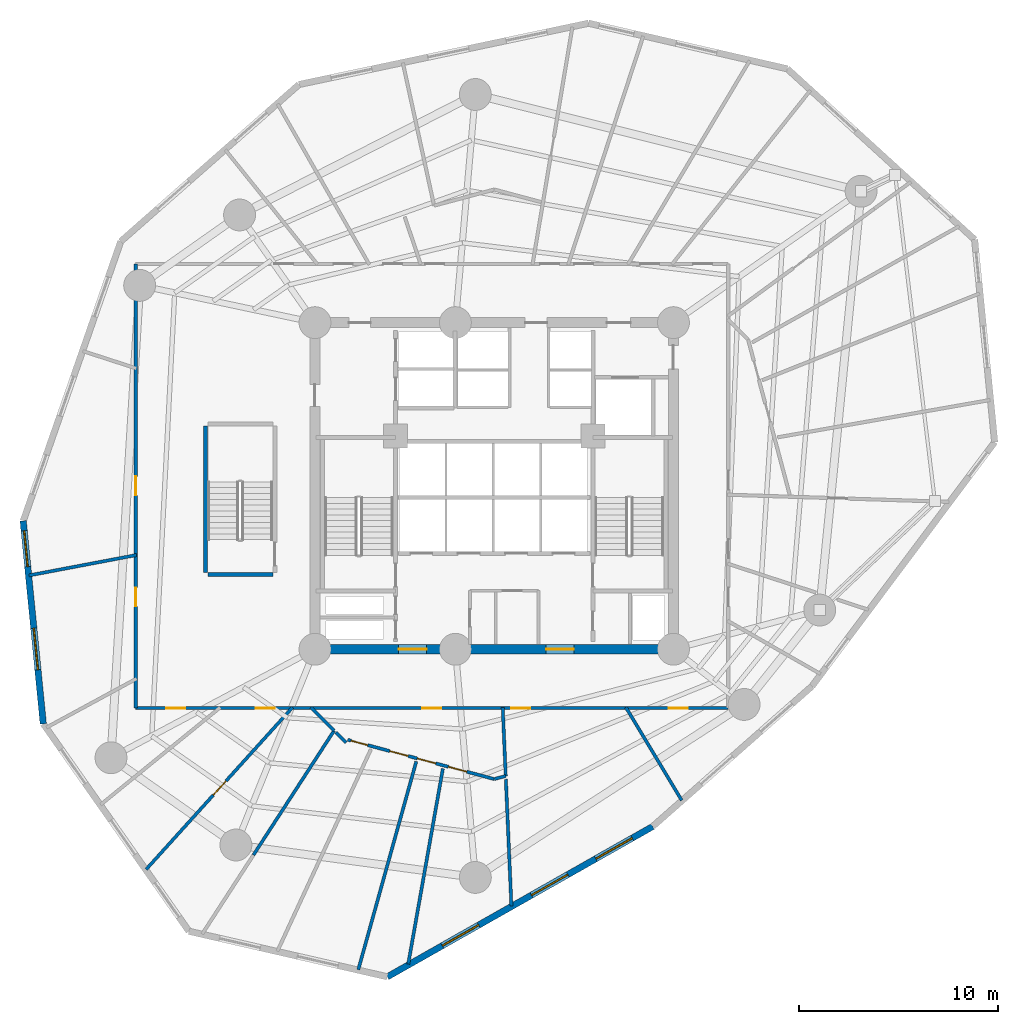
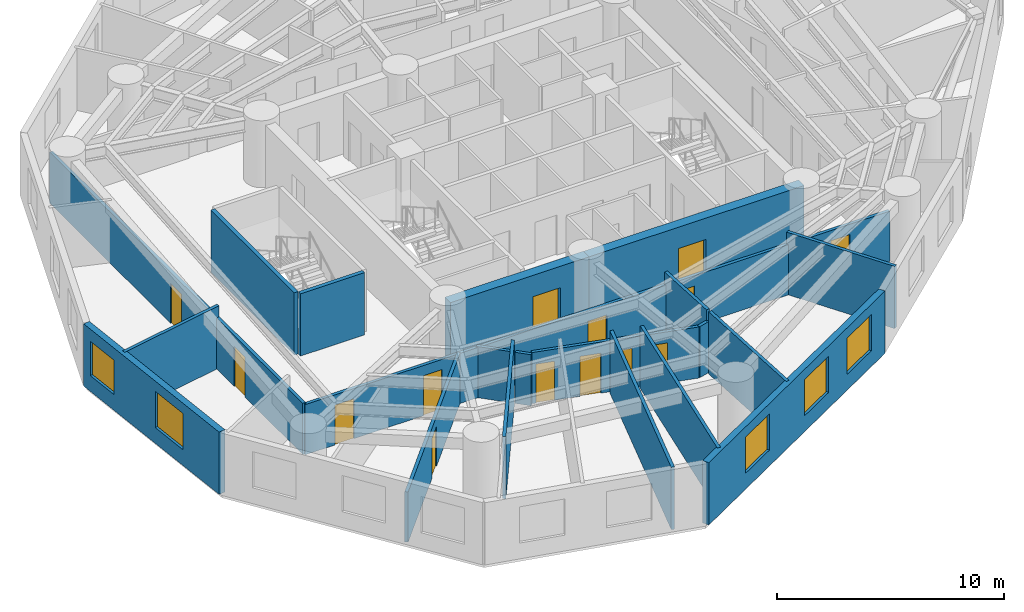
# One storey, part 3 of 8: 20 walls, 14 doors, 5 windows, 19 openings.
"""IFC4 building model written with IfcOpenShell, lengths in metres."""

from ifc_helpers import new_model, si_unit, direction, frame, frame_2d, origin, origin_with_axes, place, context, subcontext, project, spatial, rectangle, extrude, source, transform, mapped, material, layer, layer_set, type_object, element, fill, save


model = new_model("IFC4")

# Units and contexts
model_context = context("Model", 3, precision=1e-05, world=origin(), true_north=direction((0.0, 1.0)))
body_context = subcontext(model_context, "Body", "Model", "MODEL_VIEW")
ifc_project = project(units=[si_unit("LENGTHUNIT", "METRE"), si_unit("AREAUNIT", "SQUARE_METRE"), si_unit("VOLUMEUNIT", "CUBIC_METRE"), si_unit("PLANEANGLEUNIT", "RADIAN"), si_unit("MASSUNIT", "GRAM", prefix="KILO")], contexts=[model_context])

# Site, building, storey
site_placement = place(None, origin())
site = spatial("IfcSite", under=ifc_project, at=site_placement, CompositionType="ELEMENT")
building_placement = place(site_placement, origin())
building = spatial("IfcBuilding", under=site, at=building_placement, Name="Karkom Vertical University and Central Library", CompositionType="ELEMENT")
storey_placement = place(building_placement, frame((0.0, 0.0, 62.5)))
storey = spatial("IfcBuildingStorey", under=building, at=storey_placement, Name="L16", CompositionType="ELEMENT", Elevation=62.5)

# Wall, openings, windows
ifc_material_1 = material(Name="Brick-faced precast concrete C45/55", Category="masonry")
ifc_layer_1 = layer(ifc_material_1, 0.320068359375)
ifc_layer_set_1 = layer_set([ifc_layer_1], Name="Brick-faced precast concrete C45/55")
wall_type_1 = type_object("IfcWallType", Name="ENV-WL-BRK-320", PredefinedType="SOLIDWALL", material=ifc_layer_set_1)
wall_1_placement = place(storey_placement, frame((4.8486328125, 24.74658203125, 0.0), z_axis=(0.0, 0.0, 1.0), x_axis=(0.098458021154, -0.995141205091, 0.0)))
wall_1 = element("IfcWall", 1, at=wall_1_placement, inside=storey, type_object=wall_type_1, Name="Level 16 Brick-Faced Precast Facade Wall 03", PredefinedType="SOLIDWALL", context=body_context, shape_type="SweptSolid", body=[
    extrude(rectangle(XDim=10.240966796875, YDim=0.320068359375, at=frame_2d((5.12060546875, 0.0))), origin(), (0.0, 0.0, 1.0), 3.35009765625),
])
opening_1_placement = place(wall_1_placement, frame((0.505615234375, 0.0, 0.85009765625)))
opening_1 = element("IfcOpeningElement", 2, at=opening_1_placement, cuts=wall_1, Name="Opening WN-04", PredefinedType="OPENING", context=body_context, shape_type="SweptSolid", body=[
    extrude(rectangle(XDim=1.800048828125, YDim=1.85009765625, at=frame_2d((0.89990234375, 0.925048828125))), frame((0.0, 0.169921875, 0.0), z_axis=(0.0, -1.0, 0.0), x_axis=(1.0, 0.0, 0.0)), (0.0, 0.0, 1.0), 0.340087890625),
])
opening_2_placement = place(wall_1_placement, frame((5.416259765625, 0.0, 0.85009765625)))
opening_2 = element("IfcOpeningElement", 3, at=opening_2_placement, cuts=wall_1, Name="Opening WN-03", PredefinedType="OPENING", context=body_context, shape_type="SweptSolid", body=[
    extrude(rectangle(XDim=2.10009765625, YDim=1.949951171875, at=frame_2d((1.050048828125, 0.97509765625))), frame((0.0, 0.169921875, 0.0), z_axis=(0.0, -1.0, 0.0), x_axis=(1.0, 0.0, 0.0)), (0.0, 0.0, 1.0), 0.340087890625),
])
ifc_material_2 = material(Name="Aluminium thermal-break frame with solar-control IGU", Category="aluminium")
window_type_1 = type_object("IfcWindowType", Name="ENV-WIN-WN-03", PartitioningType="SINGLE_PANEL", PredefinedType="WINDOW", material=ifc_material_2)
shared_shape_1 = source(origin_with_axes(), body_context, "Body", "SweptSolid", [
    extrude(rectangle(XDim=2.10009765625, YDim=1.949951171875, at=frame_2d((1.050048828125, 0.97509765625))), frame((0.0, 0.030029296875, 0.0), z_axis=(0.0, -1.0, 0.0), x_axis=(1.0, 0.0, 0.0)), (0.0, 0.0, 1.0), 0.06005859375),
])
window_1_placement = place(opening_2_placement, origin())
window_1 = element("IfcWindow", 4, at=window_1_placement, inside=storey, type_object=window_type_1, Name="Level 16 Punched Window 3.2", OverallHeight=1.949951171875, OverallWidth=2.10009765625, PartitioningType="SINGLE_PANEL", PredefinedType="WINDOW", context=body_context, shape_type="MappedRepresentation", body=[
    mapped(shared_shape_1, transform((0.0, 0.0, 0.0), scale=1.0)),
])
fill(opening_2, window_1)
window_type_2 = type_object("IfcWindowType", Name="ENV-WIN-WN-04", PartitioningType="SINGLE_PANEL", PredefinedType="WINDOW", material=ifc_material_2)
shared_shape_2 = source(origin_with_axes(), body_context, "Body", "SweptSolid", [
    extrude(rectangle(XDim=1.800048828125, YDim=1.85009765625, at=frame_2d((0.89990234375, 0.925048828125))), frame((0.0, 0.030029296875, 0.0), z_axis=(0.0, -1.0, 0.0), x_axis=(1.0, 0.0, 0.0)), (0.0, 0.0, 1.0), 0.06005859375),
])
window_2_placement = place(opening_1_placement, origin())
window_2 = element("IfcWindow", 5, at=window_2_placement, inside=storey, type_object=window_type_2, Name="Level 16 Punched Window 3.1", OverallHeight=1.85009765625, OverallWidth=1.800048828125, PartitioningType="SINGLE_PANEL", PredefinedType="WINDOW", context=body_context, shape_type="MappedRepresentation", body=[
    mapped(shared_shape_2, transform((0.0, 0.0, 0.0), scale=1.0)),
])
fill(opening_1, window_2)

wall_2_placement = place(storey_placement, frame((23.130615234375, 1.85009765625, 0.0), z_axis=(0.0, 0.0, 1.0), x_axis=(0.870097602534, 0.492879459974, 0.0)))
wall_2 = element("IfcWall", 6, at=wall_2_placement, inside=storey, type_object=wall_type_1, Name="Level 16 Brick-Faced Precast Facade Wall 06", PredefinedType="SOLIDWALL", context=body_context, shape_type="SweptSolid", body=[
    extrude(rectangle(XDim=15.318359375, YDim=0.320068359375, at=frame_2d((7.6591796875, 0.0))), origin(), (0.0, 0.0, 1.0), 3.35009765625),
])
opening_3_placement = place(wall_2_placement, frame((3.174560546875, 0.0, 0.85009765625)))
opening_3 = element("IfcOpeningElement", 7, at=opening_3_placement, cuts=wall_2, Name="Opening WN-03", PredefinedType="OPENING", context=body_context, shape_type="SweptSolid", body=[
    extrude(rectangle(XDim=2.10009765625, YDim=1.949951171875, at=frame_2d((1.050048828125, 0.97509765625))), frame((0.0, 0.169921875, 0.0), z_axis=(0.0, -1.0, 0.0), x_axis=(1.0, 0.0, 0.0)), (0.0, 0.0, 1.0), 0.340087890625),
])
opening_4_placement = place(wall_2_placement, frame((8.322021484375, 0.0, 0.85009765625)))
opening_4 = element("IfcOpeningElement", 8, at=opening_4_placement, cuts=wall_2, Name="Opening WN-03", PredefinedType="OPENING", context=body_context, shape_type="SweptSolid", body=[
    extrude(rectangle(XDim=2.10009765625, YDim=1.949951171875, at=frame_2d((1.050048828125, 0.97509765625))), frame((0.0, 0.169921875, 0.0), z_axis=(0.0, -1.0, 0.0), x_axis=(1.0, 0.0, 0.0)), (0.0, 0.0, 1.0), 0.340087890625),
])
opening_5_placement = place(wall_2_placement, frame((12.032958984375, 0.0, 0.85009765625)))
opening_5 = element("IfcOpeningElement", 9, at=opening_5_placement, cuts=wall_2, Name="Opening WN-03", PredefinedType="OPENING", context=body_context, shape_type="SweptSolid", body=[
    extrude(rectangle(XDim=2.10009765625, YDim=1.949951171875, at=frame_2d((1.050048828125, 0.97509765625))), frame((0.0, 0.169921875, 0.0), z_axis=(0.0, -1.0, 0.0), x_axis=(1.0, 0.0, 0.0)), (0.0, 0.0, 1.0), 0.340087890625),
])
window_3_placement = place(opening_3_placement, origin())
window_3 = element("IfcWindow", 10, at=window_3_placement, inside=storey, type_object=window_type_1, Name="Level 16 Punched Window 6.1", OverallHeight=1.949951171875, OverallWidth=2.10009765625, PartitioningType="SINGLE_PANEL", PredefinedType="WINDOW", context=body_context, shape_type="MappedRepresentation", body=[
    mapped(shared_shape_1, transform((0.0, 0.0, 0.0), scale=1.0)),
])
fill(opening_3, window_3)
window_4_placement = place(opening_4_placement, origin())
window_4 = element("IfcWindow", 11, at=window_4_placement, inside=storey, type_object=window_type_1, Name="Level 16 Punched Window 6.2", OverallHeight=1.949951171875, OverallWidth=2.10009765625, PartitioningType="SINGLE_PANEL", PredefinedType="WINDOW", context=body_context, shape_type="MappedRepresentation", body=[
    mapped(shared_shape_1, transform((0.0, 0.0, 0.0), scale=1.0)),
])
fill(opening_4, window_4)
window_5_placement = place(opening_5_placement, origin())
window_5 = element("IfcWindow", 12, at=window_5_placement, inside=storey, type_object=window_type_1, Name="Level 16 Punched Window 6.3", OverallHeight=1.949951171875, OverallWidth=2.10009765625, PartitioningType="SINGLE_PANEL", PredefinedType="WINDOW", context=body_context, shape_type="MappedRepresentation", body=[
    mapped(shared_shape_1, transform((0.0, 0.0, 0.0), scale=1.0)),
])
fill(opening_5, window_5)

# Wall, openings, doors
ifc_material_3 = material(Name="Insulated metal-stud drywall 160mm", Category="gypsum")
ifc_layer_2 = layer(ifc_material_3, 0.159912109375)
ifc_layer_set_2 = layer_set([ifc_layer_2], Name="Insulated metal-stud drywall 160mm")
wall_type_2 = type_object("IfcWallType", Name="INT-WL-COR-160", PredefinedType="PARTITIONING", material=ifc_layer_set_2)
wall_3_placement = place(storey_placement, frame((40.25, 15.35009765625, 0.0), z_axis=(0.0, 0.0, 1.0), x_axis=(-1.0, 0.0, 0.0)))
wall_3 = element("IfcWall", 13, at=wall_3_placement, inside=storey, type_object=wall_type_2, Name="Level 16 Interior Partition Wall L16-CORW-CW-001", PredefinedType="PARTITIONING", context=body_context, shape_type="SweptSolid", body=[
    extrude(rectangle(XDim=29.75, YDim=0.159912109375, at=frame_2d((14.875, 0.0))), origin(), (0.0, 0.0, 1.0), 2.699951171875),
])
opening_6_placement = place(wall_3_placement, frame((27.2626953125, 0.0, 0.0)))
opening_6 = element("IfcOpeningElement", 14, at=opening_6_placement, cuts=wall_3, Name="Opening FD-RM2", PredefinedType="OPENING", context=body_context, shape_type="SweptSolid", body=[
    extrude(rectangle(XDim=0.9599609375, YDim=2.14990234375, at=frame_2d((0.47998046875, 1.074951171875))), frame((0.0, 0.08984375, 0.0), z_axis=(0.0, -1.0, 0.0), x_axis=(1.0, 0.0, 0.0)), (0.0, 0.0, 1.0), 0.179931640625),
])
opening_7_placement = place(wall_3_placement, frame((22.777587890625, 0.0, 0.0)))
opening_7 = element("IfcOpeningElement", 15, at=opening_7_placement, cuts=wall_3, Name="Opening D-RM1", PredefinedType="OPENING", context=body_context, shape_type="SweptSolid", body=[
    extrude(rectangle(XDim=0.949951171875, YDim=2.14990234375, at=frame_2d((0.47509765625, 1.074951171875))), frame((0.0, 0.08984375, 0.0), z_axis=(0.0, -1.0, 0.0), x_axis=(1.0, 0.0, 0.0)), (0.0, 0.0, 1.0), 0.179931640625),
])
opening_8_placement = place(wall_3_placement, frame((14.39990234375, 0.0, 0.0)))
opening_8 = element("IfcOpeningElement", 16, at=opening_8_placement, cuts=wall_3, Name="Opening FD-RM2", PredefinedType="OPENING", context=body_context, shape_type="SweptSolid", body=[
    extrude(rectangle(XDim=0.9599609375, YDim=2.14990234375, at=frame_2d((0.47998046875, 1.074951171875))), frame((0.0, 0.08984375, 0.0), z_axis=(0.0, -1.0, 0.0), x_axis=(1.0, 0.0, 0.0)), (0.0, 0.0, 1.0), 0.179931640625),
])
opening_9_placement = place(wall_3_placement, frame((9.9375, 0.0, 0.0)))
opening_9 = element("IfcOpeningElement", 17, at=opening_9_placement, cuts=wall_3, Name="Opening FD-RM2", PredefinedType="OPENING", context=body_context, shape_type="SweptSolid", body=[
    extrude(rectangle(XDim=0.9599609375, YDim=2.14990234375, at=frame_2d((0.47998046875, 1.074951171875))), frame((0.0, 0.08984375, 0.0), z_axis=(0.0, -1.0, 0.0), x_axis=(1.0, 0.0, 0.0)), (0.0, 0.0, 1.0), 0.179931640625),
])
opening_10_placement = place(wall_3_placement, frame((2.033203125, 0.0, 0.0)))
opening_10 = element("IfcOpeningElement", 18, at=opening_10_placement, cuts=wall_3, Name="Opening D-RM1", PredefinedType="OPENING", context=body_context, shape_type="SweptSolid", body=[
    extrude(rectangle(XDim=0.949951171875, YDim=2.14990234375, at=frame_2d((0.47509765625, 1.074951171875))), frame((0.0, 0.08984375, 0.0), z_axis=(0.0, -1.0, 0.0), x_axis=(1.0, 0.0, 0.0)), (0.0, 0.0, 1.0), 0.179931640625),
])
ifc_material_4 = material(Name="Fire-rated oak veneer door", Category="wood")
door_type_1 = type_object("IfcDoorType", Name="INT-DR-FRM2", OperationType="NOTDEFINED", PredefinedType="DOOR", material=ifc_material_4)
shared_shape_3 = source(origin_with_axes(), body_context, "Body", "SweptSolid", [
    extrude(rectangle(XDim=0.9599609375, YDim=2.14990234375, at=frame_2d((0.47998046875, 1.074951171875))), frame((0.0, 0.02490234375, 0.0), z_axis=(0.0, -1.0, 0.0), x_axis=(1.0, 0.0, 0.0)), (0.0, 0.0, 1.0), 0.050048828125),
])
door_1_placement = place(opening_6_placement, origin())
door_1 = element("IfcDoor", 19, at=door_1_placement, inside=storey, type_object=door_type_1, Name="Level 16 Room Entry Door 010", OperationType="SINGLE_SWING_LEFT", OverallHeight=2.14990234375, OverallWidth=0.9599609375, PredefinedType="DOOR", context=body_context, shape_type="MappedRepresentation", body=[
    mapped(shared_shape_3, transform((0.0, 0.0, 0.0), scale=1.0)),
])
fill(opening_6, door_1)
door_2_placement = place(opening_8_placement, origin())
door_2 = element("IfcDoor", 20, at=door_2_placement, inside=storey, type_object=door_type_1, Name="Level 16 Room Entry Door 060", OperationType="SINGLE_SWING_LEFT", OverallHeight=2.14990234375, OverallWidth=0.9599609375, PredefinedType="DOOR", context=body_context, shape_type="MappedRepresentation", body=[
    mapped(shared_shape_3, transform((0.0, 0.0, 0.0), scale=1.0)),
])
fill(opening_8, door_2)
door_3_placement = place(opening_9_placement, origin())
door_3 = element("IfcDoor", 21, at=door_3_placement, inside=storey, type_object=door_type_1, Name="Level 16 Room Entry Door 090", OperationType="SINGLE_SWING_RIGHT", OverallHeight=2.14990234375, OverallWidth=0.9599609375, PredefinedType="DOOR", context=body_context, shape_type="MappedRepresentation", body=[
    mapped(shared_shape_3, transform((0.0, 0.0, 0.0), scale=1.0)),
])
fill(opening_9, door_3)
ifc_material_5 = material(Name="Solid-core oak veneer door", Category="wood")
door_type_2 = type_object("IfcDoorType", Name="INT-DR-RM1", OperationType="NOTDEFINED", PredefinedType="DOOR", material=ifc_material_5)
shared_shape_4 = source(origin_with_axes(), body_context, "Body", "SweptSolid", [
    extrude(rectangle(XDim=0.949951171875, YDim=2.14990234375, at=frame_2d((0.47509765625, 1.074951171875))), frame((0.0, 0.02490234375, 0.0), z_axis=(0.0, -1.0, 0.0), x_axis=(1.0, 0.0, 0.0)), (0.0, 0.0, 1.0), 0.050048828125),
])
door_4_placement = place(opening_7_placement, origin())
door_4 = element("IfcDoor", 22, at=door_4_placement, inside=storey, type_object=door_type_2, Name="Level 16 Room Entry Door 020", OperationType="SINGLE_SWING_RIGHT", OverallHeight=2.14990234375, OverallWidth=0.949951171875, PredefinedType="DOOR", context=body_context, shape_type="MappedRepresentation", body=[
    mapped(shared_shape_4, transform((0.0, 0.0, 0.0), scale=1.0)),
])
fill(opening_7, door_4)
door_5_placement = place(opening_10_placement, origin())
door_5 = element("IfcDoor", 23, at=door_5_placement, inside=storey, type_object=door_type_2, Name="Level 16 Room Entry Door 100", OperationType="SINGLE_SWING_LEFT", OverallHeight=2.14990234375, OverallWidth=0.949951171875, PredefinedType="DOOR", context=body_context, shape_type="MappedRepresentation", body=[
    mapped(shared_shape_4, transform((0.0, 0.0, 0.0), scale=1.0)),
])
fill(opening_10, door_5)

wall_4_placement = place(storey_placement, frame((10.5, 15.35009765625, 0.0), z_axis=(0.0, 0.0, 1.0), x_axis=(0.0, 1.0, 0.0)))
wall_4 = element("IfcWall", 24, at=wall_4_placement, inside=storey, type_object=wall_type_2, Name="Level 16 Interior Partition Wall L16-CORW-CW-002", PredefinedType="PARTITIONING", context=body_context, shape_type="SweptSolid", body=[
    extrude(rectangle(XDim=22.2998046875, YDim=0.159912109375, at=frame_2d((11.14990234375, 0.0))), origin(), (0.0, 0.0, 1.0), 2.75),
])
opening_11_placement = place(wall_4_placement, frame((5.10009765625, 0.0, 0.0)))
opening_11 = element("IfcOpeningElement", 25, at=opening_11_placement, cuts=wall_4, Name="Opening D-RM1", PredefinedType="OPENING", context=body_context, shape_type="SweptSolid", body=[
    extrude(rectangle(XDim=0.949951171875, YDim=2.14990234375, at=frame_2d((0.47509765625, 1.074951171875))), frame((0.0, 0.08984375, 0.0), z_axis=(0.0, -1.0, 0.0), x_axis=(1.0, 0.0, 0.0)), (0.0, 0.0, 1.0), 0.179931640625),
])
opening_12_placement = place(wall_4_placement, frame((10.675048828125, 0.0, 0.0)))
opening_12 = element("IfcOpeningElement", 26, at=opening_12_placement, cuts=wall_4, Name="Opening FD-RM2", PredefinedType="OPENING", context=body_context, shape_type="SweptSolid", body=[
    extrude(rectangle(XDim=0.9599609375, YDim=2.14990234375, at=frame_2d((0.47998046875, 1.074951171875))), frame((0.0, 0.08984375, 0.0), z_axis=(0.0, -1.0, 0.0), x_axis=(1.0, 0.0, 0.0)), (0.0, 0.0, 1.0), 0.179931640625),
])
door_6_placement = place(opening_12_placement, origin())
door_6 = element("IfcDoor", 27, at=door_6_placement, inside=storey, type_object=door_type_1, Name="Level 16 Room Entry Door 270", OperationType="SINGLE_SWING_LEFT", OverallHeight=2.14990234375, OverallWidth=0.9599609375, PredefinedType="DOOR", context=body_context, shape_type="MappedRepresentation", body=[
    mapped(shared_shape_3, transform((0.0, 0.0, 0.0), scale=1.0)),
])
fill(opening_12, door_6)
door_7_placement = place(opening_11_placement, origin())
door_7 = element("IfcDoor", 28, at=door_7_placement, inside=storey, type_object=door_type_2, Name="Level 16 Room Entry Door 000", OperationType="SINGLE_SWING_RIGHT", OverallHeight=2.14990234375, OverallWidth=0.949951171875, PredefinedType="DOOR", context=body_context, shape_type="MappedRepresentation", body=[
    mapped(shared_shape_4, transform((0.0, 0.0, 0.0), scale=1.0)),
])
fill(opening_11, door_7)

# Wall, opening, door
wall_5_placement = place(storey_placement, frame((18.3740234375, 15.38330078125, 0.0), z_axis=(0.0, 0.0, 1.0), x_axis=(-0.670442834564, -0.74196118873, 0.0)))
wall_5 = element("IfcWall", 29, at=wall_5_placement, inside=storey, type_object=wall_type_2, Name="Level 16 Interior Partition Wall L16-PW-004", PredefinedType="PARTITIONING", context=body_context, shape_type="SweptSolid", body=[
    extrude(rectangle(XDim=10.96826171875, YDim=0.159912109375, at=frame_2d((5.484130859375, 0.0))), origin(), (0.0, 0.0, 1.0), 2.699951171875),
])
opening_13_placement = place(wall_5_placement, frame((4.984130859375, 0.0, 0.0)))
opening_13 = element("IfcOpeningElement", 30, at=opening_13_placement, cuts=wall_5, Name="Opening D-RM1", PredefinedType="OPENING", context=body_context, shape_type="SweptSolid", body=[
    extrude(rectangle(XDim=0.949951171875, YDim=2.14990234375, at=frame_2d((0.47509765625, 1.074951171875))), frame((0.0, 0.08984375, 0.0), z_axis=(0.0, -1.0, 0.0), x_axis=(1.0, 0.0, 0.0)), (0.0, 0.0, 1.0), 0.179931640625),
])
door_8_placement = place(opening_13_placement, origin())
door_8 = element("IfcDoor", 31, at=door_8_placement, inside=storey, type_object=door_type_2, Name="Level 16 Room Entry Door 030", OperationType="SINGLE_SWING_RIGHT", OverallHeight=2.14990234375, OverallWidth=0.949951171875, PredefinedType="DOOR", context=body_context, shape_type="MappedRepresentation", body=[
    mapped(shared_shape_4, transform((0.0, 0.0, 0.0), scale=1.0)),
])
fill(opening_13, door_8)

# Walls
wall_6_placement = place(storey_placement, frame((24.585693359375, 12.666015625, 0.0), z_axis=(0.0, 0.0, 1.0), x_axis=(-0.268214601928, -0.963359189146, 0.0)))
element("IfcWall", 32, at=wall_6_placement, inside=storey, type_object=wall_type_2, Name="Level 16 Interior Partition Wall L16-PW-012", PredefinedType="PARTITIONING", context=body_context, shape_type="SweptSolid", body=[
    extrude(rectangle(XDim=10.853759765625, YDim=0.159912109375, at=frame_2d((5.4267578125, 0.0))), origin(), (0.0, 0.0, 1.0), 3.35009765625),
])
wall_7_placement = place(storey_placement, frame((25.92236328125, 12.307861328125, 0.0), z_axis=(0.0, 0.0, 1.0), x_axis=(-0.174599707161, -0.984639498629, 0.0)))
element("IfcWall", 33, at=wall_7_placement, inside=storey, type_object=wall_type_2, Name="Level 16 Interior Partition Wall L16-PW-016", PredefinedType="PARTITIONING", context=body_context, shape_type="SweptSolid", body=[
    extrude(rectangle(XDim=9.9697265625, YDim=0.159912109375, at=frame_2d((4.98486328125, 0.0))), origin(), (0.0, 0.0, 1.0), 3.35009765625),
])

# Wall, openings, doors
wall_8_placement = place(storey_placement, frame((28.5, 11.78271484375, 0.0), z_axis=(0.0, 0.0, 1.0), x_axis=(-0.965919870225, 0.258841272413, 0.0)))
wall_8 = element("IfcWall", 34, at=wall_8_placement, inside=storey, type_object=wall_type_2, Name="Level 16 Interior Partition Wall L16-PW-013", PredefinedType="PARTITIONING", context=body_context, shape_type="SweptSolid", body=[
    extrude(rectangle(XDim=7.6181640625, YDim=0.159912109375, at=frame_2d((3.80908203125, 0.0))), origin(), (0.0, 0.0, 1.0), 2.75),
])
opening_14_placement = place(wall_8_placement, frame((6.584228515625, 0.0, 0.0)))
opening_14 = element("IfcOpeningElement", 35, at=opening_14_placement, cuts=wall_8, Name="Opening D-BATH", PredefinedType="OPENING", context=body_context, shape_type="SweptSolid", body=[
    extrude(rectangle(XDim=0.860107421875, YDim=2.10009765625, at=frame_2d((0.43017578125, 1.050048828125))), frame((0.0, 0.08984375, 0.0), z_axis=(0.0, -1.0, 0.0), x_axis=(1.0, 0.0, 0.0)), (0.0, 0.0, 1.0), 0.179931640625),
])
opening_15_placement = place(wall_8_placement, frame((4.476806640625, 0.0, 0.0)))
opening_15 = element("IfcOpeningElement", 36, at=opening_15_placement, cuts=wall_8, Name="Opening D-RM1", PredefinedType="OPENING", context=body_context, shape_type="SweptSolid", body=[
    extrude(rectangle(XDim=0.949951171875, YDim=2.14990234375, at=frame_2d((0.47509765625, 1.074951171875))), frame((0.0, 0.08984375, 0.0), z_axis=(0.0, -1.0, 0.0), x_axis=(1.0, 0.0, 0.0)), (0.0, 0.0, 1.0), 0.179931640625),
])
opening_16_placement = place(wall_8_placement, frame((3.044189453125, 0.0, 0.0)))
opening_16 = element("IfcOpeningElement", 37, at=opening_16_placement, cuts=wall_8, Name="Opening D-RM1", PredefinedType="OPENING", context=body_context, shape_type="SweptSolid", body=[
    extrude(rectangle(XDim=0.949951171875, YDim=2.14990234375, at=frame_2d((0.47509765625, 1.074951171875))), frame((0.0, 0.08984375, 0.0), z_axis=(0.0, -1.0, 0.0), x_axis=(1.0, 0.0, 0.0)), (0.0, 0.0, 1.0), 0.179931640625),
])
opening_17_placement = place(wall_8_placement, frame((1.429443359375, 0.0, 0.0)))
opening_17 = element("IfcOpeningElement", 38, at=opening_17_placement, cuts=wall_8, Name="Opening D-RM1", PredefinedType="OPENING", context=body_context, shape_type="SweptSolid", body=[
    extrude(rectangle(XDim=0.949951171875, YDim=2.14990234375, at=frame_2d((0.47509765625, 1.074951171875))), frame((0.0, 0.08984375, 0.0), z_axis=(0.0, -1.0, 0.0), x_axis=(1.0, 0.0, 0.0)), (0.0, 0.0, 1.0), 0.179931640625),
])
ifc_material_6 = material(Name="Moisture-resistant oak door", Category="wood")
door_type_3 = type_object("IfcDoorType", Name="INT-DR-BATH", OperationType="NOTDEFINED", PredefinedType="DOOR", material=ifc_material_6)
shared_shape_5 = source(origin_with_axes(), body_context, "Body", "SweptSolid", [
    extrude(rectangle(XDim=0.860107421875, YDim=2.10009765625, at=frame_2d((0.43017578125, 1.050048828125))), frame((0.0, 0.02490234375, 0.0), z_axis=(0.0, -1.0, 0.0), x_axis=(1.0, 0.0, 0.0)), (0.0, 0.0, 1.0), 0.050048828125),
])
door_9_placement = place(opening_14_placement, origin())
door_9 = element("IfcDoor", 39, at=door_9_placement, inside=storey, type_object=door_type_3, Name="Level 16 Room Entry Door 040", OperationType="SINGLE_SWING_LEFT", OverallHeight=2.10009765625, OverallWidth=0.860107421875, PredefinedType="DOOR", context=body_context, shape_type="MappedRepresentation", body=[
    mapped(shared_shape_5, transform((0.0, 0.0, 0.0), scale=1.0)),
])
fill(opening_14, door_9)
door_10_placement = place(opening_15_placement, origin())
door_10 = element("IfcDoor", 40, at=door_10_placement, inside=storey, type_object=door_type_2, Name="Level 16 Room Entry Door 050", OperationType="SINGLE_SWING_RIGHT", OverallHeight=2.14990234375, OverallWidth=0.949951171875, PredefinedType="DOOR", context=body_context, shape_type="MappedRepresentation", body=[
    mapped(shared_shape_4, transform((0.0, 0.0, 0.0), scale=1.0)),
])
fill(opening_15, door_10)
door_11_placement = place(opening_16_placement, origin())
door_11 = element("IfcDoor", 41, at=door_11_placement, inside=storey, type_object=door_type_2, Name="Level 16 Room Entry Door 070", OperationType="SINGLE_SWING_LEFT", OverallHeight=2.14990234375, OverallWidth=0.949951171875, PredefinedType="DOOR", context=body_context, shape_type="MappedRepresentation", body=[
    mapped(shared_shape_4, transform((0.0, 0.0, 0.0), scale=1.0)),
])
fill(opening_16, door_11)
door_12_placement = place(opening_17_placement, origin())
door_12 = element("IfcDoor", 42, at=door_12_placement, inside=storey, type_object=door_type_2, Name="Level 16 Room Entry Door 080", OperationType="SINGLE_SWING_RIGHT", OverallHeight=2.14990234375, OverallWidth=0.949951171875, PredefinedType="DOOR", context=body_context, shape_type="MappedRepresentation", body=[
    mapped(shared_shape_4, transform((0.0, 0.0, 0.0), scale=1.0)),
])
fill(opening_17, door_12)

# Walls
wall_9_placement = place(storey_placement, frame((20.4580078125, 14.211669921875, 0.0), z_axis=(0.0, 0.0, 1.0), x_axis=(-0.544154279749, -0.838985172593, 0.0)))
element("IfcWall", 43, at=wall_9_placement, inside=storey, type_object=wall_type_2, Name="Level 16 Interior Partition Wall L16-PW-005", PredefinedType="PARTITIONING", context=body_context, shape_type="SweptSolid", body=[
    extrude(rectangle(XDim=7.44091796875, YDim=0.159912109375, at=frame_2d((3.720458984375, 0.0))), origin(), (0.0, 0.0, 1.0), 3.35009765625),
])
wall_10_placement = place(storey_placement, frame((29.084228515625, 11.773681640625, 0.0), z_axis=(0.0, 0.0, 1.0), x_axis=(0.043703642138, -0.999044539379, 0.0)))
element("IfcWall", 44, at=wall_10_placement, inside=storey, type_object=wall_type_2, Name="Level 16 Interior Partition Wall L16-PW-017", PredefinedType="PARTITIONING", context=body_context, shape_type="SweptSolid", body=[
    extrude(rectangle(XDim=6.36279296875, YDim=0.159912109375, at=frame_2d((3.181396484375, 0.0))), origin(), (0.0, 0.0, 1.0), 3.35009765625),
])
wall_11_placement = place(storey_placement, frame((5.14501953125, 22.008056640625, 0.0), z_axis=(0.0, 0.0, 1.0), x_axis=(0.982481756529, 0.186358788598, 0.0)))
element("IfcWall", 45, at=wall_11_placement, inside=storey, type_object=wall_type_2, Name="Level 16 Interior Partition Wall L16-PW-002", PredefinedType="PARTITIONING", context=body_context, shape_type="SweptSolid", body=[
    extrude(rectangle(XDim=5.49560546875, YDim=0.159912109375, at=frame_2d((2.747802734375, 0.0))), origin(), (0.0, 0.0, 1.0), 3.35009765625),
])
wall_12_placement = place(storey_placement, frame((35.1064453125, 15.388671875, 0.0), z_axis=(0.0, 0.0, 1.0), x_axis=(0.515022535582, -0.857176637481, 0.0)))
element("IfcWall", 46, at=wall_12_placement, inside=storey, type_object=wall_type_2, Name="Level 16 Interior Partition Wall L16-PW-018", PredefinedType="PARTITIONING", context=body_context, shape_type="SweptSolid", body=[
    extrude(rectangle(XDim=5.451416015625, YDim=0.159912109375, at=frame_2d((2.7255859375, 0.0))), origin(), (0.0, 0.0, 1.0), 3.35009765625),
])
wall_13_placement = place(storey_placement, frame((28.926513671875, 15.3798828125, 0.0), z_axis=(0.0, 0.0, 1.0), x_axis=(0.043717029745, -0.999043953643, 0.0)))
element("IfcWall", 47, at=wall_13_placement, inside=storey, type_object=wall_type_2, Name="Level 16 Interior Partition Wall L16-PW-015", PredefinedType="PARTITIONING", context=body_context, shape_type="SweptSolid", body=[
    extrude(rectangle(XDim=3.445556640625, YDim=0.159912109375, at=frame_2d((1.72265625, 0.0))), origin(), (0.0, 0.0, 1.0), 3.35009765625),
])
wall_14_placement = place(storey_placement, frame((19.287841796875, 15.3818359375, 0.0), z_axis=(0.0, 0.0, 1.0), x_axis=(0.707106781187, -0.707106781187, 0.0)))
element("IfcWall", 48, at=wall_14_placement, inside=storey, type_object=wall_type_2, Name="Level 16 Interior Partition Wall L16-PW-007", PredefinedType="PARTITIONING", context=body_context, shape_type="SweptSolid", body=[
    extrude(rectangle(XDim=1.65478515625, YDim=0.159912109375, at=frame_2d((0.827392578125, 0.0))), origin(), (0.0, 0.0, 1.0), 2.75),
])
wall_15_placement = place(storey_placement, frame((20.544921875, 14.124755859375, 0.0), z_axis=(0.0, 0.0, 1.0), x_axis=(0.707106781187, -0.707106781187, 0.0)))
element("IfcWall", 49, at=wall_15_placement, inside=storey, type_object=wall_type_2, Name="Level 16 Interior Partition Wall L16-PW-009", PredefinedType="PARTITIONING", context=body_context, shape_type="SweptSolid", body=[
    extrude(rectangle(XDim=0.7265625, YDim=0.159912109375, at=frame_2d((0.36328125, 0.0))), origin(), (0.0, 0.0, 1.0), 2.75),
])
wall_16_placement = place(storey_placement, frame((29.0771484375, 11.9375, 0.0), z_axis=(0.0, 0.0, 1.0), x_axis=(-0.96586777343, -0.259035604211, 0.0)))
element("IfcWall", 50, at=wall_16_placement, inside=storey, type_object=wall_type_2, Name="Level 16 Interior Partition Wall L16-PW-014", PredefinedType="PARTITIONING", context=body_context, shape_type="SweptSolid", body=[
    extrude(rectangle(XDim=0.59765625, YDim=0.159912109375, at=frame_2d((0.298828125, 0.0))), origin(), (0.0, 0.0, 1.0), 2.75),
])

# Wall, opening, door
ifc_material_7 = material(Name="Concrete C50/60", Category="concrete")
ifc_layer_3 = layer(ifc_material_7, 0.5)
ifc_layer_set_3 = layer_set([ifc_layer_3], Name="Concrete C50/60")
wall_type_3 = type_object("IfcWallType", Name="STR-WL-CW-500", PredefinedType="SHEAR", material=ifc_layer_set_3)
wall_17_placement = place(storey_placement, frame((19.5, 18.300048828125, 0.0), z_axis=(0.0, 0.0, 1.0), x_axis=(1.0, 0.0, 0.0)))
wall_17 = element("IfcWall", 51, at=wall_17_placement, inside=storey, type_object=wall_type_3, Name="Level 16 Central Core Shear Wall SW1", PredefinedType="SHEAR", context=body_context, shape_type="SweptSolid", body=[
    extrude(rectangle(XDim=7.050048828125, YDim=0.5, at=frame_2d((3.52490234375, 0.0))), origin(), (0.0, 0.0, 1.0), 3.35009765625),
])
opening_18_placement = place(wall_17_placement, frame((4.199951171875, 0.0, 0.0)))
opening_18 = element("IfcOpeningElement", 52, at=opening_18_placement, cuts=wall_17, Name="Opening FD-CLB", PredefinedType="OPENING", context=body_context, shape_type="SweptSolid", body=[
    extrude(rectangle(XDim=1.39990234375, YDim=2.199951171875, at=frame_2d((0.699951171875, 1.10009765625))), frame((0.0, 0.260009765625, 0.0), z_axis=(0.0, -1.0, 0.0), x_axis=(1.0, 0.0, 0.0)), (0.0, 0.0, 1.0), 0.52001953125),
])
ifc_material_8 = material(Name="Painted steel fire door", Category="steel")
door_type_4 = type_object("IfcDoorType", Name="INT-DR-CLB", OperationType="DOUBLE_DOOR_SINGLE_SWING", PredefinedType="DOOR", material=ifc_material_8)
shared_shape_6 = source(origin_with_axes(), body_context, "Body", "SweptSolid", [
    extrude(rectangle(XDim=1.39990234375, YDim=2.199951171875, at=frame_2d((0.699951171875, 1.10009765625))), frame((0.0, 0.02490234375, 0.0), z_axis=(0.0, -1.0, 0.0), x_axis=(1.0, 0.0, 0.0)), (0.0, 0.0, 1.0), 0.050048828125),
])
door_13_placement = place(opening_18_placement, origin())
door_13 = element("IfcDoor", 53, at=door_13_placement, inside=storey, type_object=door_type_4, Name="Level 16 South Core Lobby West Exit Door", OperationType="DOUBLE_DOOR_SINGLE_SWING", OverallHeight=2.199951171875, OverallWidth=1.39990234375, PredefinedType="DOOR", context=body_context, shape_type="MappedRepresentation", body=[
    mapped(shared_shape_6, transform((0.0, 0.0, 0.0), scale=1.0)),
])
fill(opening_18, door_13)

wall_18_placement = place(storey_placement, frame((26.550048828125, 18.300048828125, 0.0), z_axis=(0.0, 0.0, 1.0), x_axis=(1.0, 0.0, 0.0)))
wall_18 = element("IfcWall", 54, at=wall_18_placement, inside=storey, type_object=wall_type_3, Name="Level 16 Central Core Shear Wall SW2", PredefinedType="SHEAR", context=body_context, shape_type="SweptSolid", body=[
    extrude(rectangle(XDim=10.949951171875, YDim=0.5, at=frame_2d((5.47509765625, 0.0))), origin(), (0.0, 0.0, 1.0), 3.35009765625),
])
opening_19_placement = place(wall_18_placement, frame((4.550048828125, 0.0, 0.0)))
opening_19 = element("IfcOpeningElement", 55, at=opening_19_placement, cuts=wall_18, Name="Opening FD-CLB", PredefinedType="OPENING", context=body_context, shape_type="SweptSolid", body=[
    extrude(rectangle(XDim=1.39990234375, YDim=2.199951171875, at=frame_2d((0.699951171875, 1.10009765625))), frame((0.0, 0.260009765625, 0.0), z_axis=(0.0, -1.0, 0.0), x_axis=(1.0, 0.0, 0.0)), (0.0, 0.0, 1.0), 0.52001953125),
])
door_14_placement = place(opening_19_placement, origin())
door_14 = element("IfcDoor", 56, at=door_14_placement, inside=storey, type_object=door_type_4, Name="Level 16 South Core Lobby East Exit Door", OperationType="DOUBLE_DOOR_SINGLE_SWING", OverallHeight=2.199951171875, OverallWidth=1.39990234375, PredefinedType="DOOR", context=body_context, shape_type="MappedRepresentation", body=[
    mapped(shared_shape_6, transform((0.0, 0.0, 0.0), scale=1.0)),
])
fill(opening_19, door_14)

# Walls
ifc_material_9 = material(Name="Concrete C45/55", Category="concrete")
ifc_layer_4 = layer(ifc_material_9, 0.199951171875)
ifc_layer_set_4 = layer_set([ifc_layer_4], Name="Concrete C45/55")
wall_type_4 = type_object("IfcWallType", Name="STR-WL-ST-200", PredefinedType="SHEAR", material=ifc_layer_set_4)
wall_19_placement = place(storey_placement, frame((14.014892578125, 22.14990234375, 0.0), z_axis=(0.0, 0.0, 1.0), x_axis=(0.0, 1.0, 0.0)))
element("IfcWall", 57, at=wall_19_placement, inside=storey, type_object=wall_type_4, Name="Level 16 Core Shaft Wall L16-W-ST3-W", PredefinedType="SHEAR", context=body_context, shape_type="SweptSolid", body=[
    extrude(rectangle(XDim=7.35009765625, YDim=0.199951171875, at=frame_2d((3.675048828125, 0.0))), origin(), (0.0, 0.0, 1.0), 3.35009765625),
])
wall_20_placement = place(storey_placement, frame((14.1201171875, 22.044921875, 0.0), z_axis=(0.0, 0.0, 1.0), x_axis=(1.0, 0.0, 0.0)))
element("IfcWall", 58, at=wall_20_placement, inside=storey, type_object=wall_type_4, Name="Level 16 Core Shaft Wall L16-W-ST3-S", PredefinedType="SHEAR", context=body_context, shape_type="SweptSolid", body=[
    extrude(rectangle(XDim=3.259765625, YDim=0.199951171875, at=frame_2d((1.6298828125, 0.0))), origin(), (0.0, 0.0, 1.0), 3.35009765625),
])

save(model, "model.ifc")
